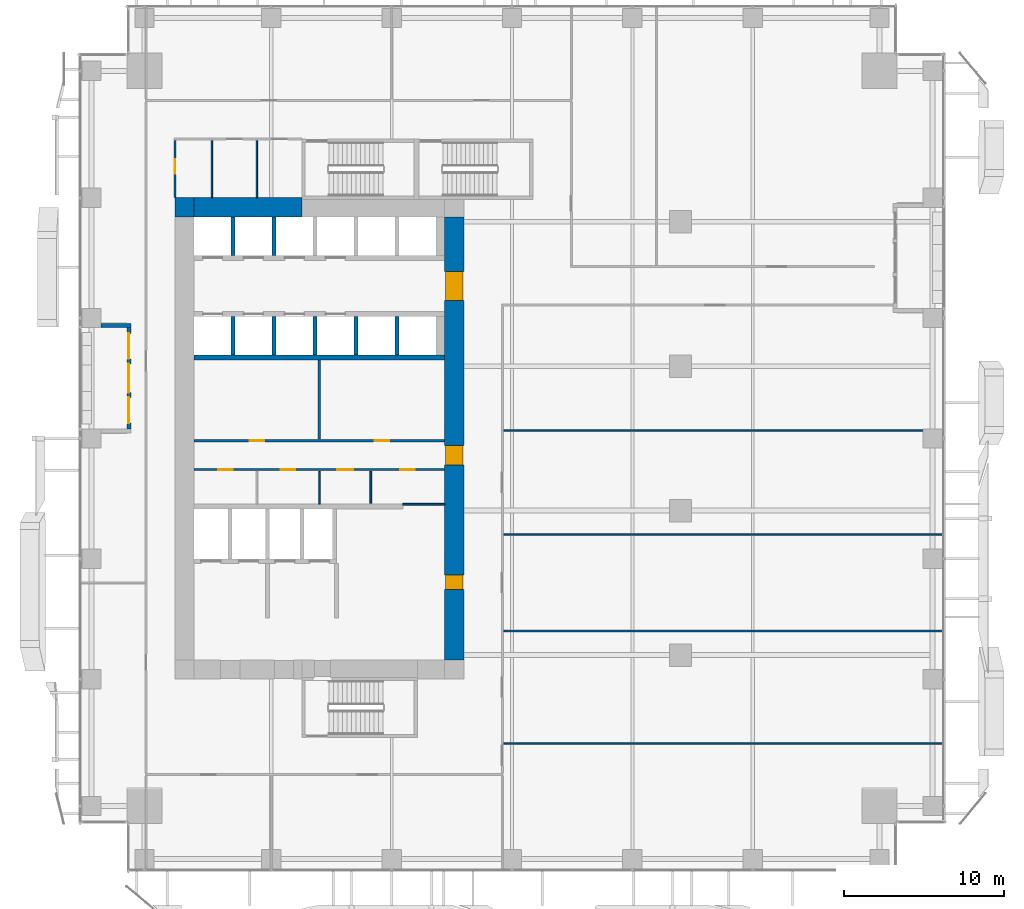
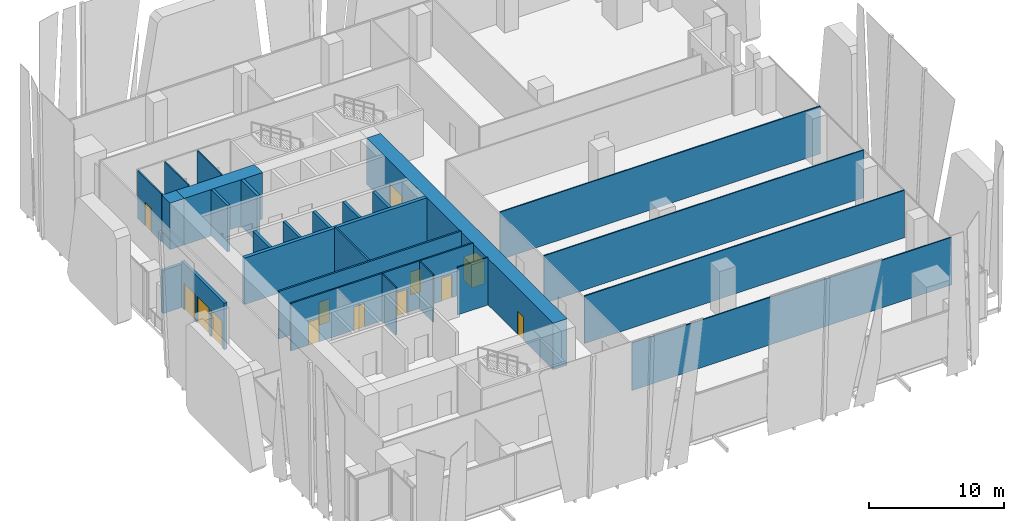
# One storey, part 30 of 37: 26 walls, 11 doors, 2 windows, 13 openings.
"""IFC4 building model written with IfcOpenShell, lengths in metres."""

from ifc_helpers import new_model, si_unit, direction, frame, frame_2d, origin, place, context, subcontext, project, spatial, rectangle, extrude, source, transform, mapped, material, layer, layer_set, type_object, element, fill, save


model = new_model("IFC4")

# Units and contexts
model_context = context("Model", 3, precision=1e-05, world=origin(), true_north=direction((0.0, 1.0)))
body_context = subcontext(model_context, "Body", "Model", "MODEL_VIEW")
ifc_project = project(units=[si_unit("LENGTHUNIT", "METRE"), si_unit("AREAUNIT", "SQUARE_METRE"), si_unit("VOLUMEUNIT", "CUBIC_METRE"), si_unit("PLANEANGLEUNIT", "RADIAN"), si_unit("MASSUNIT", "GRAM", prefix="KILO")], contexts=[model_context])

# Site, building, storey
site_placement = place(None, origin())
site = spatial("IfcSite", under=ifc_project, at=site_placement, CompositionType="ELEMENT")
building_placement = place(site_placement, origin())
building = spatial("IfcBuilding", under=site, at=building_placement, Name="Khomas Fold Tower", CompositionType="ELEMENT")
storey_placement = place(building_placement, frame((0.0, 0.0, 60.0)))
storey = spatial("IfcBuildingStorey", under=building, at=storey_placement, Name="L12", CompositionType="ELEMENT", Elevation=60.0)

# Walls
ifc_material_1 = material(Name="Concrete C70/85", Category="concrete")
ifc_layer_1 = layer(ifc_material_1, 1.199951171875)
ifc_layer_set_1 = layer_set([ifc_layer_1], Name="Concrete C70/85")
wall_type_1 = type_object("IfcWallType", Name="Core wall 1200", PredefinedType="SHEAR", material=ifc_layer_set_1)
shared_shape_1 = source(origin(), body_context, "Body", "SweptSolid", [
    extrude(rectangle(XDim=6.699951171875, YDim=1.199951171875, at=frame_2d((3.35009765625, 0.0))), origin(), (0.0, 0.0, 1.0), 4.199951171875),
])
wall_1_placement = place(storey_placement, frame((7.199951171875, 41.39990234375, 0.0), z_axis=(0.0, 0.0, 1.0), x_axis=(1.0, 0.0, 0.0)))
element("IfcWall", 1, at=wall_1_placement, inside=storey, type_object=wall_type_1, Name="Core wall CW-L-N-B2", PredefinedType="SHEAR", context=body_context, shape_type="MappedRepresentation", body=[
    mapped(shared_shape_1, transform((0.0, 0.0, 0.0))),
])
ifc_material_2 = material(Name="Concrete C70/85", Category="concrete")
ifc_layer_2 = layer(ifc_material_2, 1.199951171875)
ifc_layer_set_2 = layer_set([ifc_layer_2], Name="Concrete C70/85")
wall_type_2 = type_object("IfcWallType", Name="Core corner wall 1200", PredefinedType="SHEAR", material=ifc_layer_set_2)
shared_shape_2 = source(origin(), body_context, "Body", "SweptSolid", [
    extrude(rectangle(XDim=1.199951171875, YDim=1.199951171875, at=frame_2d((0.60009765625, 0.0))), origin(), (0.0, 0.0, 1.0), 4.199951171875),
])
wall_2_placement = place(storey_placement, frame((6.0, 41.39990234375, 0.0), z_axis=(0.0, 0.0, 1.0), x_axis=(1.0, 0.0, 0.0)))
element("IfcWall", 2, at=wall_2_placement, inside=storey, type_object=wall_type_2, Name="Core wall CW-L-NW-B2", PredefinedType="SHEAR", context=body_context, shape_type="MappedRepresentation", body=[
    mapped(shared_shape_2, transform((0.0, 0.0, 0.0))),
])

# Wall, openings, doors
shared_shape_3 = source(origin(), body_context, "Body", "SweptSolid", [
    extrude(rectangle(XDim=27.60009765625, YDim=1.199951171875, at=frame_2d((13.800048828125, 0.0))), origin(), (0.0, 0.0, 1.0), 4.199951171875),
])
wall_3_placement = place(storey_placement, frame((23.39990234375, 13.199951171875, 0.0), z_axis=(0.0, 0.0, 1.0), x_axis=(0.0, 1.0, 0.0)))
wall_3 = element("IfcWall", 3, at=wall_3_placement, inside=storey, type_object=wall_type_1, Name="Core wall CW-L-E-B2", PredefinedType="SHEAR", context=body_context, shape_type="MappedRepresentation", body=[
    mapped(shared_shape_3, transform((0.0, 0.0, 0.0))),
])
shared_shape_4 = source(origin(), body_context, "Body", "SweptSolid", [
    extrude(rectangle(XDim=1.800048828125, YDim=2.10009765625, at=frame_2d((0.89990234375, 1.050048828125))), frame((0.0, 0.60986328125, 0.0), z_axis=(0.0, -1.0, 0.0), x_axis=(1.0, 0.0, 0.0)), (0.0, 0.0, 1.0), 1.219970703125),
])
opening_1_placement = place(wall_3_placement, frame((22.39990234375, 0.0, 0.0)))
opening_1 = element("IfcOpeningElement", 4, at=opening_1_placement, cuts=wall_3, Name="Opening 0015", PredefinedType="OPENING", context=body_context, shape_type="MappedRepresentation", body=[
    mapped(shared_shape_4, transform((0.0, 0.0, 0.0))),
])
shared_shape_5 = source(origin(), body_context, "Body", "SweptSolid", [
    extrude(rectangle(XDim=1.199951171875, YDim=2.10009765625, at=frame_2d((0.60009765625, 1.050048828125))), frame((0.0, 0.60986328125, 0.0), z_axis=(0.0, -1.0, 0.0), x_axis=(1.0, 0.0, 0.0)), (0.0, 0.0, 1.0), 1.219970703125),
])
opening_2_placement = place(wall_3_placement, frame((12.14990234375, 0.0, 0.0)))
opening_2 = element("IfcOpeningElement", 5, at=opening_2_placement, cuts=wall_3, Name="Opening 0001", PredefinedType="OPENING", context=body_context, shape_type="MappedRepresentation", body=[
    mapped(shared_shape_5, transform((0.0, 0.0, 0.0))),
])
shared_shape_6 = source(origin(), body_context, "Body", "SweptSolid", [
    extrude(rectangle(XDim=0.89990234375, YDim=2.10009765625, at=frame_2d((0.449951171875, 1.050048828125))), frame((0.0, 0.60986328125, 0.0), z_axis=(0.0, -1.0, 0.0), x_axis=(1.0, 0.0, 0.0)), (0.0, 0.0, 1.0), 1.219970703125),
])
opening_3_placement = place(wall_3_placement, frame((4.39990234375, 0.0, 0.0)))
opening_3 = element("IfcOpeningElement", 6, at=opening_3_placement, cuts=wall_3, Name="Opening 0008", PredefinedType="OPENING", context=body_context, shape_type="MappedRepresentation", body=[
    mapped(shared_shape_6, transform((0.0, 0.0, 0.0))),
])
ifc_material_3 = material(Name="Timber door leaf", Category="wood")
door_type_1 = type_object("IfcDoorType", Name="Door 1200x2100 right-hand", OperationType="SINGLE_SWING_RIGHT", PredefinedType="DOOR", material=ifc_material_3)
shared_shape_7 = source(origin(), body_context, "Body", "SweptSolid", [
    extrude(rectangle(XDim=1.199951171875, YDim=2.10009765625, at=frame_2d((0.60009765625, 1.050048828125))), frame((0.0, 0.5498046875, 0.0), z_axis=(0.0, -1.0, 0.0), x_axis=(1.0, 0.0, 0.0)), (0.0, 0.0, 1.0), 1.099853515625),
])
door_1_placement = place(opening_2_placement, origin())
door_1 = element("IfcDoor", 7, at=door_1_placement, inside=storey, type_object=door_type_1, Name="Door", OperationType="SINGLE_SWING_RIGHT", OverallHeight=2.10009765625, OverallWidth=1.199951171875, PredefinedType="DOOR", context=body_context, shape_type="MappedRepresentation", body=[
    mapped(shared_shape_7, transform((0.0, 0.0, 0.0))),
])
fill(opening_2, door_1)
ifc_material_4 = material(Name="Timber door leaf", Category="wood")
door_type_2 = type_object("IfcDoorType", Name="Door 900x2100 right-hand", OperationType="SINGLE_SWING_RIGHT", PredefinedType="DOOR", material=ifc_material_4)
shared_shape_8 = source(origin(), body_context, "Body", "SweptSolid", [
    extrude(rectangle(XDim=0.89990234375, YDim=2.10009765625, at=frame_2d((0.449951171875, 1.050048828125))), frame((0.0, 0.5498046875, 0.0), z_axis=(0.0, -1.0, 0.0), x_axis=(1.0, 0.0, 0.0)), (0.0, 0.0, 1.0), 1.099853515625),
])
door_2_placement = place(opening_3_placement, origin())
door_2 = element("IfcDoor", 8, at=door_2_placement, inside=storey, type_object=door_type_2, Name="Door", OperationType="SINGLE_SWING_RIGHT", OverallHeight=2.10009765625, OverallWidth=0.89990234375, PredefinedType="DOOR", context=body_context, shape_type="MappedRepresentation", body=[
    mapped(shared_shape_8, transform((0.0, 0.0, 0.0))),
])
fill(opening_3, door_2)
ifc_material_5 = material(Name="Steel door leaf", Category="steel")
door_type_3 = type_object("IfcDoorType", Name="Lobby door 1800x2100", OperationType="DOUBLE_DOOR_SINGLE_SWING", PredefinedType="DOOR", material=ifc_material_5)
shared_shape_9 = source(origin(), body_context, "Body", "SweptSolid", [
    extrude(rectangle(XDim=1.800048828125, YDim=2.10009765625, at=frame_2d((0.89990234375, 1.050048828125))), frame((0.0, 0.5498046875, 0.0), z_axis=(0.0, -1.0, 0.0), x_axis=(1.0, 0.0, 0.0)), (0.0, 0.0, 1.0), 1.099853515625),
])
door_3_placement = place(opening_1_placement, origin())
door_3 = element("IfcDoor", 9, at=door_3_placement, inside=storey, type_object=door_type_3, Name="Lobby door", OperationType="DOUBLE_DOOR_SINGLE_SWING", OverallHeight=2.10009765625, OverallWidth=1.800048828125, PredefinedType="DOOR", context=body_context, shape_type="MappedRepresentation", body=[
    mapped(shared_shape_9, transform((0.0, 0.0, 0.0))),
])
fill(opening_1, door_3)

# Walls
ifc_material_6 = material(Name="Concrete C50/60", Category="concrete")
ifc_layer_3 = layer(ifc_material_6, 0.300048828125)
ifc_layer_set_3 = layer_set([ifc_layer_3], Name="Concrete C50/60")
wall_type_3 = type_object("IfcWallType", Name="Shaft wall 300", PredefinedType="STANDARD", material=ifc_layer_set_3)
shared_shape_10 = source(origin(), body_context, "Body", "SweptSolid", [
    extrude(rectangle(XDim=15.60009765625, YDim=0.300048828125, at=frame_2d((7.800048828125, 0.0))), origin(), (0.0, 0.0, 1.0), 4.199951171875),
])
wall_4_placement = place(storey_placement, frame((7.199951171875, 32.050048828125, 0.0), z_axis=(0.0, 0.0, 1.0), x_axis=(1.0, 0.0, 0.0)))
element("IfcWall", 10, at=wall_4_placement, inside=storey, type_object=wall_type_3, Name="Core wall SW-HRN-B", PredefinedType="STANDARD", context=body_context, shape_type="MappedRepresentation", body=[
    mapped(shared_shape_10, transform((0.0, 0.0, 0.0))),
])
ifc_material_7 = material(Name="Concrete C50/60", Category="concrete")
ifc_layer_4 = layer(ifc_material_7, 0.25)
ifc_layer_set_4 = layer_set([ifc_layer_4], Name="Concrete C50/60")
wall_type_4 = type_object("IfcWallType", Name="Shaft wall 250", PredefinedType="STANDARD", material=ifc_layer_set_4)
shared_shape_11 = source(origin(), body_context, "Body", "SweptSolid", [
    extrude(rectangle(XDim=2.400146484375, YDim=0.25, at=frame_2d((1.2001953125, 0.0))), origin(), (0.0, 0.0, 1.0), 4.199951171875),
])
for number, where, z_axis, x_axis, name in (
    (11, (9.625, 38.39990234375, 0.0), (0.0, 0.0, 1.0), (0.0, 1.0, 0.0), "Core wall SW-LRN-P1"),
    (12, (12.175048828125, 38.39990234375, 0.0), (0.0, 0.0, 1.0), (0.0, 1.0, 0.0), "Core wall SW-LRN-P2"),
    (13, (9.625, 32.199951171875, 0.0), (0.0, 0.0, 1.0), (0.0, 1.0, 0.0), "Core wall SW-LRS-P1"),
    (14, (12.175048828125, 32.199951171875, 0.0), (0.0, 0.0, 1.0), (0.0, 1.0, 0.0), "Core wall SW-LRS-P2"),
    (15, (14.72509765625, 32.199951171875, 0.0), (0.0, 0.0, 1.0), (0.0, 1.0, 0.0), "Core wall SW-LRS-P3"),
    (16, (17.27490234375, 32.199951171875, 0.0), (0.0, 0.0, 1.0), (0.0, 1.0, 0.0), "Core wall SW-LRS-P4"),
    (17, (19.824951171875, 32.199951171875, 0.0), (0.0, 0.0, 1.0), (0.0, 1.0, 0.0), "Core wall SW-LRS-P5"),
):
    element("IfcWall", number, at=place(storey_placement, frame(where, z_axis=z_axis, x_axis=x_axis)), inside=storey, type_object=wall_type_4, Name=name, PredefinedType="STANDARD", context=body_context, shape_type="MappedRepresentation", body=[
        mapped(shared_shape_11, transform((0.0, 0.0, 0.0))),
    ])
ifc_material_8 = material(Name="Natural stone", Category="masonry")
ifc_layer_5 = layer(ifc_material_8, 0.0400390625)
ifc_material_9 = material(Name="Mineral wool insulation", Category="insulation")
ifc_layer_6 = layer(ifc_material_9, 0.10009765625)
ifc_material_10 = material(Name="Masonry", Category="masonry")
ifc_layer_7 = layer(ifc_material_10, 0.110107421875)
ifc_layer_set_5 = layer_set([ifc_layer_5, ifc_layer_6, ifc_layer_7], Name="Stone-faced insulated masonry")
wall_type_5 = type_object("IfcWallType", Name="BL-Balcony wall", PredefinedType="SOLIDWALL", material=ifc_layer_set_5)
shared_shape_12 = source(origin(), body_context, "Body", "SweptSolid", [
    extrude(rectangle(XDim=1.85009765625, YDim=0.25, at=frame_2d((0.925048828125, 0.0))), origin(), (0.0, 0.0, 1.0), 3.89990234375),
])
wall_5_placement = place(storey_placement, frame((1.39990234375, 34.02490234375, 0.0), z_axis=(0.0, 0.0, 1.0), x_axis=(1.0, 0.0, 0.0)))
element("IfcWall", 18, at=wall_5_placement, inside=storey, type_object=wall_type_5, Name="Balcony return wall BAL-L12-W3-hi", PredefinedType="SOLIDWALL", context=body_context, shape_type="MappedRepresentation", body=[
    mapped(shared_shape_12, transform((0.0, 0.0, 0.0))),
])

# Wall, openings, windows, door
shared_shape_13 = source(origin(), body_context, "Body", "SweptSolid", [
    extrude(rectangle(XDim=6.2998046875, YDim=0.25, at=frame_2d((3.14990234375, 0.0))), origin(), (0.0, 0.0, 1.0), 4.199951171875),
])
wall_6_placement = place(storey_placement, frame((3.125, 27.60009765625, 0.0), z_axis=(0.0, 0.0, 1.0), x_axis=(0.0, 1.0, 0.0)))
wall_6 = element("IfcWall", 19, at=wall_6_placement, inside=storey, type_object=wall_type_5, Name="Balcony wall BAL-L12-W3", PredefinedType="SOLIDWALL", context=body_context, shape_type="MappedRepresentation", body=[
    mapped(shared_shape_13, transform((0.0, 0.0, 0.0))),
])
shared_shape_14 = source(origin(), body_context, "Body", "SweptSolid", [
    extrude(rectangle(XDim=1.60009765625, YDim=2.39990234375, at=frame_2d((0.800048828125, 1.199951171875))), frame((0.0, 0.135009765625, 0.0), z_axis=(0.0, -1.0, 0.0), x_axis=(1.0, 0.0, 0.0)), (0.0, 0.0, 1.0), 0.27001953125),
])
opening_4_placement = place(wall_6_placement, frame((0.35009765625, 0.0, 0.0)))
opening_4 = element("IfcOpeningElement", 20, at=opening_4_placement, cuts=wall_6, Name="Opening BL-W1", PredefinedType="OPENING", context=body_context, shape_type="MappedRepresentation", body=[
    mapped(shared_shape_14, transform((0.0, 0.0, 0.0))),
])
opening_5_placement = place(wall_6_placement, frame((4.35009765625, 0.0, 0.0)))
opening_5 = element("IfcOpeningElement", 21, at=opening_5_placement, cuts=wall_6, Name="Opening BL-W1", PredefinedType="OPENING", context=body_context, shape_type="MappedRepresentation", body=[
    mapped(shared_shape_14, transform((0.0, 0.0, 0.0))),
])
shared_shape_15 = source(origin(), body_context, "Body", "SweptSolid", [
    extrude(rectangle(XDim=1.800048828125, YDim=2.39990234375, at=frame_2d((0.89990234375, 1.199951171875))), frame((0.0, 0.135009765625, 0.0), z_axis=(0.0, -1.0, 0.0), x_axis=(1.0, 0.0, 0.0)), (0.0, 0.0, 1.0), 0.27001953125),
])
opening_6_placement = place(wall_6_placement, frame((2.25, 0.0, 0.0)))
opening_6 = element("IfcOpeningElement", 22, at=opening_6_placement, cuts=wall_6, Name="Opening BD122", PredefinedType="OPENING", context=body_context, shape_type="MappedRepresentation", body=[
    mapped(shared_shape_15, transform((0.0, 0.0, 0.0))),
])
ifc_material_11 = material(Name="Aluminium framed double glazing", Category="aluminium")
window_type = type_object("IfcWindowType", Name="BL-Fixed glazing 1600 x 2400", PartitioningType="SINGLE_PANEL", PredefinedType="WINDOW", material=ifc_material_11)
shared_shape_16 = source(origin(), body_context, "Body", "SweptSolid", [
    extrude(rectangle(XDim=1.60009765625, YDim=2.39990234375, at=frame_2d((0.800048828125, 1.199951171875))), frame((0.0, 0.030029296875, 0.0), z_axis=(0.0, -1.0, 0.0), x_axis=(1.0, 0.0, 0.0)), (0.0, 0.0, 1.0), 0.06005859375),
])
window_1_placement = place(opening_4_placement, origin())
window_1 = element("IfcWindow", 23, at=window_1_placement, inside=storey, type_object=window_type, Name="Balcony glazing BAL-L12-W3-1", OverallHeight=2.39990234375, OverallWidth=1.60009765625, PartitioningType="SINGLE_PANEL", PredefinedType="WINDOW", context=body_context, shape_type="MappedRepresentation", body=[
    mapped(shared_shape_16, transform((0.0, 0.0, 0.0))),
])
fill(opening_4, window_1)
window_2_placement = place(opening_5_placement, origin())
window_2 = element("IfcWindow", 24, at=window_2_placement, inside=storey, type_object=window_type, Name="Balcony glazing BAL-L12-W3-2", OverallHeight=2.39990234375, OverallWidth=1.60009765625, PartitioningType="SINGLE_PANEL", PredefinedType="WINDOW", context=body_context, shape_type="MappedRepresentation", body=[
    mapped(shared_shape_16, transform((0.0, 0.0, 0.0))),
])
fill(opening_5, window_2)
ifc_material_12 = material(Name="Aluminium framed double glazing", Category="aluminium")
door_type_4 = type_object("IfcDoorType", Name="BL-Glazed balcony door 1800 x 2400", OperationType="DOUBLE_DOOR_DOUBLE_SWING", PredefinedType="DOOR", material=ifc_material_12)
shared_shape_17 = source(origin(), body_context, "Body", "SweptSolid", [
    extrude(rectangle(XDim=1.800048828125, YDim=2.39990234375, at=frame_2d((0.89990234375, 1.199951171875))), frame((0.0, 0.02490234375, 0.0), z_axis=(0.0, -1.0, 0.0), x_axis=(1.0, 0.0, 0.0)), (0.0, 0.0, 1.0), 0.050048828125),
])
door_4_placement = place(opening_6_placement, origin())
door_4 = element("IfcDoor", 25, at=door_4_placement, inside=storey, type_object=door_type_4, Name="Balcony door BD122", OperationType="DOUBLE_DOOR_DOUBLE_SWING", OverallHeight=2.39990234375, OverallWidth=1.800048828125, PredefinedType="DOOR", context=body_context, shape_type="MappedRepresentation", body=[
    mapped(shared_shape_17, transform((0.0, 0.0, 0.0))),
])
fill(opening_6, door_4)

# Walls
ifc_material_13 = material(Name="Plasterboard partition")
ifc_layer_8 = layer(ifc_material_13, 0.10009765625)
ifc_layer_set_6 = layer_set([ifc_layer_8], Name="Plasterboard partition")
wall_type_6 = type_object("IfcWallType", Name="Partition PW1 100", PredefinedType="PARTITIONING", material=ifc_layer_set_6)
shared_shape_18 = source(origin(), body_context, "Body", "SweptSolid", [
    extrude(rectangle(XDim=27.35009765625, YDim=0.10009765625, at=frame_2d((13.675048828125, 0.0))), origin(), (0.0, 0.0, 1.0), 4.300048828125),
])
for number, where, z_axis, x_axis, name in (
    (26, (26.5, 8.0, 0.0), (0.0, 0.0, 1.0), (1.0, 0.0, 0.0), "Partition"),
    (27, (26.5, 15.0, 0.0), (0.0, 0.0, 1.0), (1.0, 0.0, 0.0), "Partition"),
    (28, (26.5, 21.0, 0.0), (0.0, 0.0, 1.0), (1.0, 0.0, 0.0), "Partition"),
    (29, (26.5, 27.5, 0.0), (0.0, 0.0, 1.0), (1.0, 0.0, 0.0), "Partition"),
):
    element("IfcWall", number, at=place(storey_placement, frame(where, z_axis=z_axis, x_axis=x_axis)), inside=storey, type_object=wall_type_6, Name=name, PredefinedType="PARTITIONING", context=body_context, shape_type="MappedRepresentation", body=[
        mapped(shared_shape_18, transform((0.0, 0.0, 0.0))),
    ])
shared_shape_19 = source(origin(), body_context, "Body", "SweptSolid", [
    extrude(rectangle(XDim=3.550048828125, YDim=0.10009765625, at=frame_2d((1.77490234375, 0.0))), origin(), (0.0, 0.0, 1.0), 4.300048828125),
])
for number, where, z_axis, x_axis, name in (
    (30, (8.300048828125, 42.0, 0.0), (0.0, 0.0, 1.0), (0.0, 1.0, 0.0), "Partition"),
    (31, (11.10009765625, 42.0, 0.0), (0.0, 0.0, 1.0), (0.0, 1.0, 0.0), "Partition"),
):
    element("IfcWall", number, at=place(storey_placement, frame(where, z_axis=z_axis, x_axis=x_axis)), inside=storey, type_object=wall_type_6, Name=name, PredefinedType="PARTITIONING", context=body_context, shape_type="MappedRepresentation", body=[
        mapped(shared_shape_19, transform((0.0, 0.0, 0.0))),
    ])

# Wall, openings, doors
ifc_material_14 = material(Name="Plasterboard fire partition")
ifc_layer_9 = layer(ifc_material_14, 0.14990234375)
ifc_layer_set_7 = layer_set([ifc_layer_9], Name="Plasterboard fire partition")
wall_type_7 = type_object("IfcWallType", Name="Plant room wall PW3 150", PredefinedType="PARTITIONING", material=ifc_layer_set_7)
shared_shape_20 = source(origin(), body_context, "Body", "SweptSolid", [
    extrude(rectangle(XDim=15.60009765625, YDim=0.14990234375, at=frame_2d((7.800048828125, 0.0))), origin(), (0.0, 0.0, 1.0), 4.300048828125),
])
wall_7_placement = place(storey_placement, frame((7.199951171875, 26.85009765625, 0.0), z_axis=(0.0, 0.0, 1.0), x_axis=(1.0, 0.0, 0.0)))
wall_7 = element("IfcWall", 32, at=wall_7_placement, inside=storey, type_object=wall_type_7, Name="Plant room wall", PredefinedType="PARTITIONING", context=body_context, shape_type="MappedRepresentation", body=[
    mapped(shared_shape_20, transform((0.0, 0.0, 0.0))),
])
shared_shape_21 = source(origin(), body_context, "Body", "SweptSolid", [
    extrude(rectangle(XDim=0.89990234375, YDim=2.10009765625, at=frame_2d((0.449951171875, 1.050048828125))), frame((0.0, 0.0849609375, 0.0), z_axis=(0.0, -1.0, 0.0), x_axis=(1.0, 0.0, 0.0)), (0.0, 0.0, 1.0), 0.169921875),
])
opening_7_placement = place(wall_7_placement, frame((3.449951171875, 0.0, 0.0)))
opening_7 = element("IfcOpeningElement", 33, at=opening_7_placement, cuts=wall_7, Name="Opening 0003", PredefinedType="OPENING", context=body_context, shape_type="MappedRepresentation", body=[
    mapped(shared_shape_21, transform((0.0, 0.0, 0.0))),
])
opening_8_placement = place(wall_7_placement, frame((11.25, 0.0, 0.0)))
opening_8 = element("IfcOpeningElement", 34, at=opening_8_placement, cuts=wall_7, Name="Opening 0002", PredefinedType="OPENING", context=body_context, shape_type="MappedRepresentation", body=[
    mapped(shared_shape_21, transform((0.0, 0.0, 0.0))),
])
ifc_material_15 = material(Name="Steel door leaf", Category="steel")
door_type_5 = type_object("IfcDoorType", Name="Plant room door 900x2100 right-hand", OperationType="SINGLE_SWING_RIGHT", PredefinedType="DOOR", material=ifc_material_15)
shared_shape_22 = source(origin(), body_context, "Body", "SweptSolid", [
    extrude(rectangle(XDim=0.89990234375, YDim=2.10009765625, at=frame_2d((0.449951171875, 1.050048828125))), frame((0.0, 0.02490234375, 0.0), z_axis=(0.0, -1.0, 0.0), x_axis=(1.0, 0.0, 0.0)), (0.0, 0.0, 1.0), 0.050048828125),
])
door_5_placement = place(opening_7_placement, origin())
door_5 = element("IfcDoor", 35, at=door_5_placement, inside=storey, type_object=door_type_5, Name="Plant room door", OperationType="SINGLE_SWING_RIGHT", OverallHeight=2.10009765625, OverallWidth=0.89990234375, PredefinedType="DOOR", context=body_context, shape_type="MappedRepresentation", body=[
    mapped(shared_shape_22, transform((0.0, 0.0, 0.0))),
])
fill(opening_7, door_5)
ifc_material_16 = material(Name="Steel door leaf", Category="steel")
door_type_6 = type_object("IfcDoorType", Name="Plant room door 900x2100 left-hand", OperationType="SINGLE_SWING_LEFT", PredefinedType="DOOR", material=ifc_material_16)
door_6_placement = place(opening_8_placement, origin())
door_6 = element("IfcDoor", 36, at=door_6_placement, inside=storey, type_object=door_type_6, Name="Plant room door", OperationType="SINGLE_SWING_LEFT", OverallHeight=2.10009765625, OverallWidth=0.89990234375, PredefinedType="DOOR", context=body_context, shape_type="MappedRepresentation", body=[
    mapped(shared_shape_22, transform((0.0, 0.0, 0.0))),
])
fill(opening_8, door_6)

# Wall, opening, door
ifc_material_17 = material(Name="Plasterboard partition")
ifc_layer_10 = layer(ifc_material_17, 0.125)
ifc_layer_set_8 = layer_set([ifc_layer_10], Name="Plasterboard partition")
wall_type_8 = type_object("IfcWallType", Name="Partition PW2 125", PredefinedType="PARTITIONING", material=ifc_layer_set_8)
shared_shape_23 = source(origin(), body_context, "Body", "SweptSolid", [
    extrude(rectangle(XDim=3.550048828125, YDim=0.125, at=frame_2d((1.77490234375, 0.0))), origin(), (0.0, 0.0, 1.0), 4.300048828125),
])
wall_8_placement = place(storey_placement, frame((6.0, 42.0, 0.0), z_axis=(0.0, 0.0, 1.0), x_axis=(0.0, 1.0, 0.0)))
wall_8 = element("IfcWall", 37, at=wall_8_placement, inside=storey, type_object=wall_type_8, Name="Partition", PredefinedType="PARTITIONING", context=body_context, shape_type="MappedRepresentation", body=[
    mapped(shared_shape_23, transform((0.0, 0.0, 0.0))),
])
shared_shape_24 = source(origin(), body_context, "Body", "SweptSolid", [
    extrude(rectangle(XDim=0.89990234375, YDim=2.10009765625, at=frame_2d((0.449951171875, 1.050048828125))), frame((0.0, 0.072509765625, 0.0), z_axis=(0.0, -1.0, 0.0), x_axis=(1.0, 0.0, 0.0)), (0.0, 0.0, 1.0), 0.14501953125),
])
opening_9_placement = place(wall_8_placement, frame((1.5, 0.0, 0.0)))
opening_9 = element("IfcOpeningElement", 38, at=opening_9_placement, cuts=wall_8, Name="Opening 0008", PredefinedType="OPENING", context=body_context, shape_type="MappedRepresentation", body=[
    mapped(shared_shape_24, transform((0.0, 0.0, 0.0))),
])
door_7_placement = place(opening_9_placement, origin())
door_7 = element("IfcDoor", 39, at=door_7_placement, inside=storey, type_object=door_type_2, Name="Door", OperationType="SINGLE_SWING_RIGHT", OverallHeight=2.10009765625, OverallWidth=0.89990234375, PredefinedType="DOOR", context=body_context, shape_type="MappedRepresentation", body=[
    mapped(shared_shape_22, transform((0.0, 0.0, 0.0))),
])
fill(opening_9, door_7)

# Wall
shared_shape_25 = source(origin(), body_context, "Body", "SweptSolid", [
    extrude(rectangle(XDim=2.60009765625, YDim=0.10009765625, at=frame_2d((1.300048828125, 0.0))), origin(), (0.0, 0.0, 1.0), 4.300048828125),
])
wall_9_placement = place(storey_placement, frame((20.199951171875, 22.89990234375, 0.0), z_axis=(0.0, 0.0, 1.0), x_axis=(1.0, 0.0, 0.0)))
element("IfcWall", 40, at=wall_9_placement, inside=storey, type_object=wall_type_6, Name="Partition", PredefinedType="PARTITIONING", context=body_context, shape_type="MappedRepresentation", body=[
    mapped(shared_shape_25, transform((0.0, 0.0, 0.0))),
])

# Wall, openings, doors
shared_shape_26 = source(origin(), body_context, "Body", "SweptSolid", [
    extrude(rectangle(XDim=15.60009765625, YDim=0.125, at=frame_2d((7.800048828125, 0.0))), origin(), (0.0, 0.0, 1.0), 4.300048828125),
])
wall_10_placement = place(storey_placement, frame((7.199951171875, 25.050048828125, 0.0), z_axis=(0.0, 0.0, 1.0), x_axis=(1.0, 0.0, 0.0)))
wall_10 = element("IfcWall", 41, at=wall_10_placement, inside=storey, type_object=wall_type_8, Name="Partition", PredefinedType="PARTITIONING", context=body_context, shape_type="MappedRepresentation", body=[
    mapped(shared_shape_26, transform((0.0, 0.0, 0.0))),
])
opening_10_placement = place(wall_10_placement, frame((1.5, 0.0, 0.0)))
opening_10 = element("IfcOpeningElement", 42, at=opening_10_placement, cuts=wall_10, Name="Opening 0005", PredefinedType="OPENING", context=body_context, shape_type="MappedRepresentation", body=[
    mapped(shared_shape_24, transform((0.0, 0.0, 0.0))),
])
opening_11_placement = place(wall_10_placement, frame((5.39990234375, 0.0, 0.0)))
opening_11 = element("IfcOpeningElement", 43, at=opening_11_placement, cuts=wall_10, Name="Opening 0004", PredefinedType="OPENING", context=body_context, shape_type="MappedRepresentation", body=[
    mapped(shared_shape_24, transform((0.0, 0.0, 0.0))),
])
shared_shape_27 = source(origin(), body_context, "Body", "SweptSolid", [
    extrude(rectangle(XDim=1.0, YDim=2.10009765625, at=frame_2d((0.5, 1.050048828125))), frame((0.0, 0.072509765625, 0.0), z_axis=(0.0, -1.0, 0.0), x_axis=(1.0, 0.0, 0.0)), (0.0, 0.0, 1.0), 0.14501953125),
])
opening_12_placement = place(wall_10_placement, frame((8.89990234375, 0.0, 0.0)))
opening_12 = element("IfcOpeningElement", 44, at=opening_12_placement, cuts=wall_10, Name="Opening 0014", PredefinedType="OPENING", context=body_context, shape_type="MappedRepresentation", body=[
    mapped(shared_shape_27, transform((0.0, 0.0, 0.0))),
])
opening_13_placement = place(wall_10_placement, frame((12.85009765625, 0.0, 0.0)))
opening_13 = element("IfcOpeningElement", 45, at=opening_13_placement, cuts=wall_10, Name="Opening 0008", PredefinedType="OPENING", context=body_context, shape_type="MappedRepresentation", body=[
    mapped(shared_shape_24, transform((0.0, 0.0, 0.0))),
])
ifc_material_18 = material(Name="Timber door leaf", Category="wood")
door_type_7 = type_object("IfcDoorType", Name="WC door 900x2100 left-hand", OperationType="SINGLE_SWING_LEFT", PredefinedType="DOOR", material=ifc_material_18)
door_8_placement = place(opening_10_placement, origin())
door_8 = element("IfcDoor", 46, at=door_8_placement, inside=storey, type_object=door_type_7, Name="WC door", OperationType="SINGLE_SWING_LEFT", OverallHeight=2.10009765625, OverallWidth=0.89990234375, PredefinedType="DOOR", context=body_context, shape_type="MappedRepresentation", body=[
    mapped(shared_shape_22, transform((0.0, 0.0, 0.0))),
])
fill(opening_10, door_8)
ifc_material_19 = material(Name="Timber door leaf", Category="wood")
door_type_8 = type_object("IfcDoorType", Name="WC door 900x2100 right-hand", OperationType="SINGLE_SWING_RIGHT", PredefinedType="DOOR", material=ifc_material_19)
door_9_placement = place(opening_11_placement, origin())
door_9 = element("IfcDoor", 47, at=door_9_placement, inside=storey, type_object=door_type_8, Name="WC door", OperationType="SINGLE_SWING_RIGHT", OverallHeight=2.10009765625, OverallWidth=0.89990234375, PredefinedType="DOOR", context=body_context, shape_type="MappedRepresentation", body=[
    mapped(shared_shape_22, transform((0.0, 0.0, 0.0))),
])
fill(opening_11, door_9)
door_10_placement = place(opening_13_placement, origin())
door_10 = element("IfcDoor", 48, at=door_10_placement, inside=storey, type_object=door_type_2, Name="Door", OperationType="SINGLE_SWING_RIGHT", OverallHeight=2.10009765625, OverallWidth=0.89990234375, PredefinedType="DOOR", context=body_context, shape_type="MappedRepresentation", body=[
    mapped(shared_shape_22, transform((0.0, 0.0, 0.0))),
])
fill(opening_13, door_10)
ifc_material_20 = material(Name="Timber door leaf", Category="wood")
door_type_9 = type_object("IfcDoorType", Name="WC door 1000x2100 left-hand", OperationType="SINGLE_SWING_LEFT", PredefinedType="DOOR", material=ifc_material_20)
shared_shape_28 = source(origin(), body_context, "Body", "SweptSolid", [
    extrude(rectangle(XDim=1.0, YDim=2.10009765625, at=frame_2d((0.5, 1.050048828125))), frame((0.0, 0.02490234375, 0.0), z_axis=(0.0, -1.0, 0.0), x_axis=(1.0, 0.0, 0.0)), (0.0, 0.0, 1.0), 0.050048828125),
])
door_11_placement = place(opening_12_placement, origin())
door_11 = element("IfcDoor", 49, at=door_11_placement, inside=storey, type_object=door_type_9, Name="WC door", OperationType="SINGLE_SWING_LEFT", OverallHeight=2.10009765625, OverallWidth=1.0, PredefinedType="DOOR", context=body_context, shape_type="MappedRepresentation", body=[
    mapped(shared_shape_28, transform((0.0, 0.0, 0.0))),
])
fill(opening_12, door_11)

# Walls
shared_shape_29 = source(origin(), body_context, "Body", "SweptSolid", [
    extrude(rectangle(XDim=2.050048828125, YDim=0.10009765625, at=frame_2d((1.02490234375, 0.0))), origin(), (0.0, 0.0, 1.0), 4.300048828125),
])
wall_11_placement = place(storey_placement, frame((15.0, 22.89990234375, 0.0), z_axis=(0.0, 0.0, 1.0), x_axis=(0.0, 1.0, 0.0)))
element("IfcWall", 50, at=wall_11_placement, inside=storey, type_object=wall_type_6, Name="Partition", PredefinedType="PARTITIONING", context=body_context, shape_type="MappedRepresentation", body=[
    mapped(shared_shape_29, transform((0.0, 0.0, 0.0))),
])
shared_shape_30 = source(origin(), body_context, "Body", "SweptSolid", [
    extrude(rectangle(XDim=2.0, YDim=0.10009765625, at=frame_2d((1.0, 0.0))), origin(), (0.0, 0.0, 1.0), 4.300048828125),
])
wall_12_placement = place(storey_placement, frame((18.199951171875, 22.949951171875, 0.0), z_axis=(0.0, 0.0, 1.0), x_axis=(0.0, 1.0, 0.0)))
element("IfcWall", 51, at=wall_12_placement, inside=storey, type_object=wall_type_6, Name="Partition", PredefinedType="PARTITIONING", context=body_context, shape_type="MappedRepresentation", body=[
    mapped(shared_shape_30, transform((0.0, 0.0, 0.0))),
])
shared_shape_31 = source(origin(), body_context, "Body", "SweptSolid", [
    extrude(rectangle(XDim=4.949951171875, YDim=0.14990234375, at=frame_2d((2.47509765625, 0.0))), origin(), (0.0, 0.0, 1.0), 4.300048828125),
])
wall_13_placement = place(storey_placement, frame((15.0, 26.949951171875, 0.0), z_axis=(0.0, 0.0, 1.0), x_axis=(0.0, 1.0, 0.0)))
element("IfcWall", 52, at=wall_13_placement, inside=storey, type_object=wall_type_7, Name="Plant room wall", PredefinedType="PARTITIONING", context=body_context, shape_type="MappedRepresentation", body=[
    mapped(shared_shape_31, transform((0.0, 0.0, 0.0))),
])

save(model, "model.ifc")
